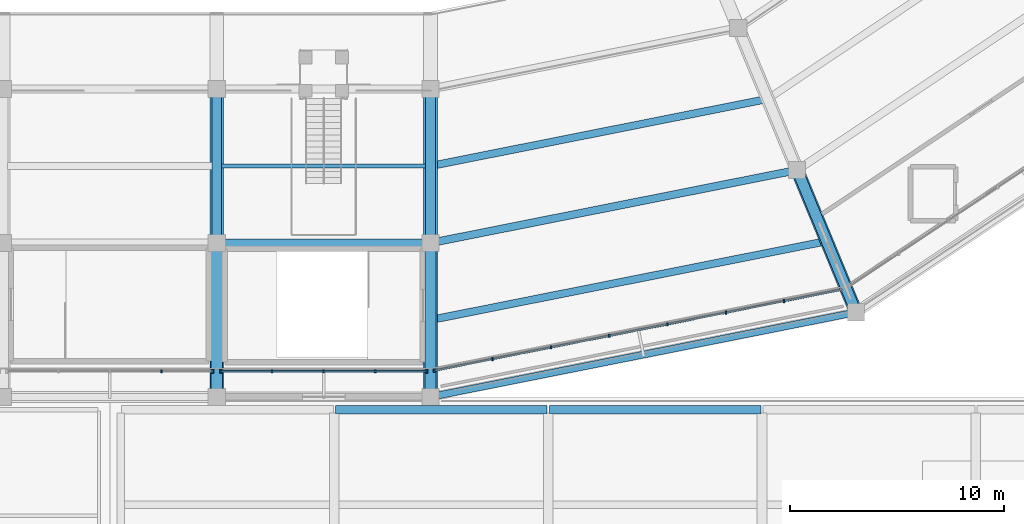
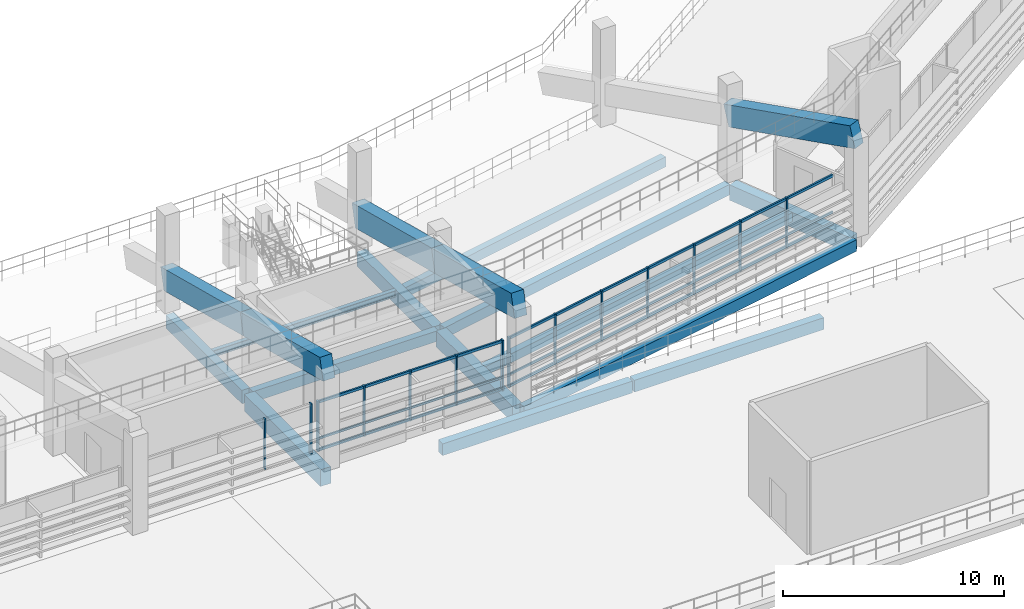
# One storey, part 27 of 96: 20 members, 18 beams, 3 elements without a shape of their own.
"""IFC4 building model written with IfcOpenShell, lengths in metres."""

from ifc_helpers import new_model, si_unit, direction, frame, origin, origin_2d, place, context, subcontext, project, spatial, rectangle, i_section, extrude, material, material_profile, profile_set, type_object, element, aggregate, save


model = new_model("IFC4")

# Units and contexts
model_context = context("Model", 3, precision=1e-05, world=origin(), true_north=direction((0.0, 1.0)))
body_context = subcontext(model_context, "Body", "Model", "MODEL_VIEW")
ifc_project = project(units=[si_unit("LENGTHUNIT", "METRE"), si_unit("AREAUNIT", "SQUARE_METRE"), si_unit("VOLUMEUNIT", "CUBIC_METRE"), si_unit("PLANEANGLEUNIT", "RADIAN"), si_unit("MASSUNIT", "GRAM", prefix="KILO")], contexts=[model_context])

# Site, building, storey
site_placement = place(None, origin())
site = spatial("IfcSite", under=ifc_project, at=site_placement, CompositionType="ELEMENT")
building_placement = place(site_placement, origin())
building = spatial("IfcBuilding", under=site, at=building_placement, Name="Candeia Ridge Stadium", CompositionType="ELEMENT")
storey_placement = place(building_placement, frame((0.0, 0.0, 21.60009765625)))
storey = spatial("IfcBuildingStorey", under=building, at=storey_placement, Name="L04", CompositionType="ELEMENT", Elevation=21.60009765625)

# Beams
ifc_material_1 = material(Name="Concrete C40/50", Category="concrete")
ifc_material_profile_1 = material_profile(ifc_material_1, rectangle(XDim=0.35009765625, YDim=0.550048828125, at=origin_2d()), Name="RC350x550", Category="concrete")
ifc_profile_set_1 = profile_set([ifc_material_profile_1], Name="Concrete C40/50")
beam_type_1 = type_object("IfcBeamType", Name="Concourse Concrete Joist RC350x550", PredefinedType="JOIST", material=ifc_profile_set_1)
beam_1_placement = place(storey_placement, frame((141.2177734375, 29.84326171875, -0.53515625), z_axis=(0.980784984607, 0.195091809076, 0.0), x_axis=(-0.195091809076, 0.980784984607, 0.0)))
element("IfcBeam", 1, at=beam_1_placement, inside=storey, type_object=beam_type_1, Name="Concourse secondary joist BM-L04-0911", PredefinedType="JOIST", context=body_context, shape_type="SweptSolid", body=[
    extrude(rectangle(XDim=0.35009765625, YDim=0.550048828125, at=origin_2d()), origin(), (0.0, 0.0, 1.0), 15.63134765625),
])
ifc_material_2 = material(Name="Steel ASTM A572 Grade 50", Category="steel")
ifc_material_profile_2 = material_profile(ifc_material_2, i_section(OverallWidth=0.205078125, OverallDepth=0.35400390625, WebThickness=0.009521484375, FlangeThickness=0.016845703125, FilletRadius=0.014892578125, at=origin_2d()), Name="W360x79", Category="steel")
ifc_profile_set_2 = profile_set([ifc_material_profile_2], Name="Steel ASTM A572 Grade 50")
beam_type_2 = type_object("IfcBeamType", Name="Concourse Secondary Joist W360x79", PredefinedType="JOIST", material=ifc_profile_set_2)
beam_2_placement = place(storey_placement, frame((131.221923828125, 29.800048828125, -0.43701171875), z_axis=(1.0, 0.0, 0.0), x_axis=(0.0, 1.0, 0.0)))
element("IfcBeam", 2, at=beam_2_placement, inside=storey, type_object=beam_type_2, Name="Concourse secondary joist BM-L04-0907", PredefinedType="JOIST", context=body_context, shape_type="SweptSolid", body=[
    extrude(i_section(OverallWidth=0.205078125, OverallDepth=0.35400390625, WebThickness=0.009521484375, FlangeThickness=0.016845703125, FilletRadius=0.014892578125, at=origin_2d()), origin(), (0.0, 0.0, 1.0), 9.55615234375),
])

# Curtain wall, member
ifc_material_3 = material(Name="Aluminium Anodized Warm Bronze", Category="aluminium")
curtain_wall_type = type_object("IfcCurtainWallType", Name="Concourse Recessed Unitised Curtain Wall", PredefinedType="NOTDEFINED", material=ifc_material_3)
curtain_wall_1_placement = place(storey_placement, origin())
curtain_wall_1 = element("IfcCurtainWall", 3, at=curtain_wall_1_placement, inside=storey, type_object=curtain_wall_type, Name="Unitised curtain wall CW-BWL-L04-23", PredefinedType="NOTDEFINED")
ifc_material_profile_3 = material_profile(ifc_material_3, rectangle(XDim=0.090087890625, YDim=0.179931640625, at=origin_2d()), Name="CWM-90x180", Category="aluminium")
ifc_profile_set_3 = profile_set([ifc_material_profile_3], Name="Aluminium Anodized Warm Bronze")
member_type_1 = type_object("IfcMemberType", Name="Curtain Wall Primary Mullion 90x180", PredefinedType="MULLION", material=ifc_profile_set_3)
member_1_placement = place(storey_placement, frame((130.820068359375, 20.199951171875, 0.0), z_axis=(0.0, 0.0, 1.0), x_axis=(1.0, 0.0, 0.0)))
member_1 = element("IfcMember", 4, at=member_1_placement, type_object=member_type_1, Name="Curtain wall mullion CW-BWL-L04-23-M4", PredefinedType="MULLION", context=body_context, shape_type="SweptSolid", body=[
    extrude(rectangle(XDim=0.090087890625, YDim=0.179931640625, at=origin_2d()), origin(), (0.0, 0.0, 1.0), 2.772216796875),
])

# Curtain wall, members
curtain_wall_2_placement = place(storey_placement, origin())
curtain_wall_2 = element("IfcCurtainWall", 5, at=curtain_wall_2_placement, inside=storey, type_object=curtain_wall_type, Name="Unitised curtain wall CW-BWL-L04-24", PredefinedType="NOTDEFINED")
member_2_placement = place(storey_placement, frame((131.179931640625, 20.199951171875, 0.0), z_axis=(0.0, 0.0, 1.0), x_axis=(1.0, 0.0, 0.0)))
member_2 = element("IfcMember", 6, at=member_2_placement, type_object=member_type_1, Name="Curtain wall mullion CW-BWL-L04-24-M0", PredefinedType="MULLION", context=body_context, shape_type="SweptSolid", body=[
    extrude(rectangle(XDim=0.090087890625, YDim=0.179931640625, at=origin_2d()), origin(), (0.0, 0.0, 1.0), 2.772216796875),
])
member_3_placement = place(storey_placement, frame((140.820068359375, 20.199951171875, 0.0), z_axis=(0.0, 0.0, 1.0), x_axis=(1.0, 0.0, 0.0)))
member_3 = element("IfcMember", 7, at=member_3_placement, type_object=member_type_1, Name="Curtain wall mullion CW-BWL-L04-24-M4", PredefinedType="MULLION", context=body_context, shape_type="SweptSolid", body=[
    extrude(rectangle(XDim=0.090087890625, YDim=0.179931640625, at=origin_2d()), origin(), (0.0, 0.0, 1.0), 2.772216796875),
])

# Curtain wall, member
curtain_wall_3_placement = place(storey_placement, origin())
curtain_wall_3 = element("IfcCurtainWall", 8, at=curtain_wall_3_placement, inside=storey, type_object=curtain_wall_type, Name="Unitised curtain wall CW-BWL-L04-25", PredefinedType="NOTDEFINED")
member_4_placement = place(storey_placement, frame((141.176513671875, 20.235107421875, 0.0), z_axis=(0.0, 0.0, 1.0), x_axis=(1.0, 0.0, 0.0)))
member_4 = element("IfcMember", 9, at=member_4_placement, type_object=member_type_1, Name="Curtain wall mullion CW-BWL-L04-25-M0", PredefinedType="MULLION", context=body_context, shape_type="SweptSolid", body=[
    extrude(rectangle(XDim=0.090087890625, YDim=0.179931640625, at=origin_2d()), origin(), (0.0, 0.0, 1.0), 2.772216796875),
])

# Member
ifc_material_profile_4 = material_profile(ifc_material_3, rectangle(XDim=0.074951171875, YDim=0.14990234375, at=origin_2d()), Name="CWM-75x150", Category="aluminium")
ifc_profile_set_4 = profile_set([ifc_material_profile_4], Name="Aluminium Anodized Warm Bronze")
member_type_2 = type_object("IfcMemberType", Name="Curtain Wall Secondary Mullion 75x150", PredefinedType="MULLION", material=ifc_profile_set_4)
member_5_placement = place(storey_placement, frame((128.409912109375, 20.199951171875, 0.0), z_axis=(0.0, 0.0, 1.0), x_axis=(1.0, 0.0, 0.0)))
member_5 = element("IfcMember", 10, at=member_5_placement, type_object=member_type_2, Name="Curtain wall mullion CW-BWL-L04-23-M3", PredefinedType="MULLION", context=body_context, shape_type="SweptSolid", body=[
    extrude(rectangle(XDim=0.074951171875, YDim=0.14990234375, at=origin_2d()), origin(), (0.0, 0.0, 1.0), 2.772216796875),
])

aggregate(curtain_wall_1, [member_5, member_1])

member_6_placement = place(storey_placement, frame((133.590087890625, 20.199951171875, 0.0), z_axis=(0.0, 0.0, 1.0), x_axis=(1.0, 0.0, 0.0)))
member_6 = element("IfcMember", 11, at=member_6_placement, type_object=member_type_2, Name="Curtain wall mullion CW-BWL-L04-24-M1", PredefinedType="MULLION", context=body_context, shape_type="SweptSolid", body=[
    extrude(rectangle(XDim=0.074951171875, YDim=0.14990234375, at=origin_2d()), origin(), (0.0, 0.0, 1.0), 2.772216796875),
])

member_7_placement = place(storey_placement, frame((136.0, 20.199951171875, 0.0), z_axis=(0.0, 0.0, 1.0), x_axis=(1.0, 0.0, 0.0)))
member_7 = element("IfcMember", 12, at=member_7_placement, type_object=member_type_2, Name="Curtain wall mullion CW-BWL-L04-24-M2", PredefinedType="MULLION", context=body_context, shape_type="SweptSolid", body=[
    extrude(rectangle(XDim=0.074951171875, YDim=0.14990234375, at=origin_2d()), origin(), (0.0, 0.0, 1.0), 2.772216796875),
])

member_8_placement = place(storey_placement, frame((138.409912109375, 20.199951171875, 0.0), z_axis=(0.0, 0.0, 1.0), x_axis=(1.0, 0.0, 0.0)))
member_8 = element("IfcMember", 13, at=member_8_placement, type_object=member_type_2, Name="Curtain wall mullion CW-BWL-L04-24-M3", PredefinedType="MULLION", context=body_context, shape_type="SweptSolid", body=[
    extrude(rectangle(XDim=0.074951171875, YDim=0.14990234375, at=origin_2d()), origin(), (0.0, 0.0, 1.0), 2.772216796875),
])

member_9_placement = place(storey_placement, frame((143.9033203125, 20.777587890625, 0.0), z_axis=(0.0, 0.0, 1.0), x_axis=(1.0, 0.0, 0.0)))
member_9 = element("IfcMember", 14, at=member_9_placement, type_object=member_type_2, Name="Curtain wall mullion CW-BWL-L04-25-M1", PredefinedType="MULLION", context=body_context, shape_type="SweptSolid", body=[
    extrude(rectangle(XDim=0.074951171875, YDim=0.14990234375, at=origin_2d()), origin(), (0.0, 0.0, 1.0), 2.772216796875),
])

member_10_placement = place(storey_placement, frame((146.6298828125, 21.31982421875, 0.0), z_axis=(0.0, 0.0, 1.0), x_axis=(1.0, 0.0, 0.0)))
member_10 = element("IfcMember", 15, at=member_10_placement, type_object=member_type_2, Name="Curtain wall mullion CW-BWL-L04-25-M2", PredefinedType="MULLION", context=body_context, shape_type="SweptSolid", body=[
    extrude(rectangle(XDim=0.074951171875, YDim=0.14990234375, at=origin_2d()), origin(), (0.0, 0.0, 1.0), 2.772216796875),
])

member_11_placement = place(storey_placement, frame((149.356689453125, 21.8623046875, 0.0), z_axis=(0.0, 0.0, 1.0), x_axis=(1.0, 0.0, 0.0)))
member_11 = element("IfcMember", 16, at=member_11_placement, type_object=member_type_2, Name="Curtain wall mullion CW-BWL-L04-25-M3", PredefinedType="MULLION", context=body_context, shape_type="SweptSolid", body=[
    extrude(rectangle(XDim=0.074951171875, YDim=0.14990234375, at=origin_2d()), origin(), (0.0, 0.0, 1.0), 2.772216796875),
])

member_12_placement = place(storey_placement, frame((152.08349609375, 22.404541015625, 0.0), z_axis=(0.0, 0.0, 1.0), x_axis=(1.0, 0.0, 0.0)))
member_12 = element("IfcMember", 17, at=member_12_placement, type_object=member_type_2, Name="Curtain wall mullion CW-BWL-L04-25-M4", PredefinedType="MULLION", context=body_context, shape_type="SweptSolid", body=[
    extrude(rectangle(XDim=0.074951171875, YDim=0.14990234375, at=origin_2d()), origin(), (0.0, 0.0, 1.0), 2.772216796875),
])

member_13_placement = place(storey_placement, frame((154.810302734375, 22.947021484375, 0.0), z_axis=(0.0, 0.0, 1.0), x_axis=(1.0, 0.0, 0.0)))
member_13 = element("IfcMember", 18, at=member_13_placement, type_object=member_type_2, Name="Curtain wall mullion CW-BWL-L04-25-M5", PredefinedType="MULLION", context=body_context, shape_type="SweptSolid", body=[
    extrude(rectangle(XDim=0.074951171875, YDim=0.14990234375, at=origin_2d()), origin(), (0.0, 0.0, 1.0), 2.772216796875),
])

member_14_placement = place(storey_placement, frame((157.537109375, 23.489501953125, 0.0), z_axis=(0.0, 0.0, 1.0), x_axis=(1.0, 0.0, 0.0)))
member_14 = element("IfcMember", 19, at=member_14_placement, type_object=member_type_2, Name="Curtain wall mullion CW-BWL-L04-25-M6", PredefinedType="MULLION", context=body_context, shape_type="SweptSolid", body=[
    extrude(rectangle(XDim=0.074951171875, YDim=0.14990234375, at=origin_2d()), origin(), (0.0, 0.0, 1.0), 2.772216796875),
])

ifc_material_profile_5 = material_profile(ifc_material_3, rectangle(XDim=0.074951171875, YDim=0.110107421875, at=origin_2d()), Name="CWT-75x110", Category="aluminium")
ifc_profile_set_5 = profile_set([ifc_material_profile_5], Name="Aluminium Anodized Warm Bronze")
member_type_3 = type_object("IfcMemberType", Name="Curtain Wall Secondary Transom 75x110", PredefinedType="USERDEFINED", material=ifc_profile_set_5)
member_15_placement = place(storey_placement, frame((131.179931640625, 20.199951171875, 0.693115234375), z_axis=(1.0, 0.0, 0.0), x_axis=(0.0, 1.0, 0.0)))
member_15 = element("IfcMember", 20, at=member_15_placement, type_object=member_type_3, Name="Curtain wall transom CW-BWL-L04-24-T1", ObjectType="TRANSOM", PredefinedType="USERDEFINED", context=body_context, shape_type="SweptSolid", body=[
    extrude(rectangle(XDim=0.074951171875, YDim=0.110107421875, at=origin_2d()), origin(), (0.0, 0.0, 1.0), 9.64013671875),
])

member_16_placement = place(storey_placement, frame((141.176513671875, 20.235107421875, 0.693115234375), z_axis=(0.980786160623, 0.195085896803, 0.0), x_axis=(-0.195085896803, 0.980786160623, 0.0)))
member_16 = element("IfcMember", 21, at=member_16_placement, type_object=member_type_3, Name="Curtain wall transom CW-BWL-L04-25-T1", ObjectType="TRANSOM", PredefinedType="USERDEFINED", context=body_context, shape_type="SweptSolid", body=[
    extrude(rectangle(XDim=0.074951171875, YDim=0.110107421875, at=origin_2d()), origin(), (0.0, 0.0, 1.0), 19.46142578125),
])

ifc_material_profile_6 = material_profile(ifc_material_3, rectangle(XDim=0.090087890625, YDim=0.139892578125, at=origin_2d()), Name="CWT-90x140", Category="aluminium")
ifc_profile_set_6 = profile_set([ifc_material_profile_6], Name="Aluminium Anodized Warm Bronze")
member_type_4 = type_object("IfcMemberType", Name="Curtain Wall Transom 90x140", PredefinedType="USERDEFINED", material=ifc_profile_set_6)
member_17_placement = place(storey_placement, frame((131.179931640625, 20.199951171875, 0.06982421875), z_axis=(1.0, 0.0, 0.0), x_axis=(0.0, 1.0, 0.0)))
member_17 = element("IfcMember", 22, at=member_17_placement, type_object=member_type_4, Name="Curtain wall transom CW-BWL-L04-24-T0", ObjectType="TRANSOM", PredefinedType="USERDEFINED", context=body_context, shape_type="SweptSolid", body=[
    extrude(rectangle(XDim=0.090087890625, YDim=0.139892578125, at=origin_2d()), origin(), (0.0, 0.0, 1.0), 9.64013671875),
])

member_18_placement = place(storey_placement, frame((131.179931640625, 20.199951171875, 2.7021484375), z_axis=(1.0, 0.0, 0.0), x_axis=(0.0, 1.0, 0.0)))
member_18 = element("IfcMember", 23, at=member_18_placement, type_object=member_type_4, Name="Curtain wall transom CW-BWL-L04-24-T2", ObjectType="TRANSOM", PredefinedType="USERDEFINED", context=body_context, shape_type="SweptSolid", body=[
    extrude(rectangle(XDim=0.090087890625, YDim=0.139892578125, at=origin_2d()), origin(), (0.0, 0.0, 1.0), 9.64013671875),
])

aggregate(curtain_wall_2, [member_2, member_6, member_7, member_8, member_3, member_17, member_15, member_18])

member_19_placement = place(storey_placement, frame((141.176513671875, 20.235107421875, 0.06982421875), z_axis=(0.980786160623, 0.195085896803, 0.0), x_axis=(-0.195085896803, 0.980786160623, 0.0)))
member_19 = element("IfcMember", 24, at=member_19_placement, type_object=member_type_4, Name="Curtain wall transom CW-BWL-L04-25-T0", ObjectType="TRANSOM", PredefinedType="USERDEFINED", context=body_context, shape_type="SweptSolid", body=[
    extrude(rectangle(XDim=0.090087890625, YDim=0.139892578125, at=origin_2d()), origin(), (0.0, 0.0, 1.0), 19.46142578125),
])

member_20_placement = place(storey_placement, frame((141.176513671875, 20.235107421875, 2.7021484375), z_axis=(0.980786160623, 0.195085896803, 0.0), x_axis=(-0.195085896803, 0.980786160623, 0.0)))
member_20 = element("IfcMember", 25, at=member_20_placement, type_object=member_type_4, Name="Curtain wall transom CW-BWL-L04-25-T2", ObjectType="TRANSOM", PredefinedType="USERDEFINED", context=body_context, shape_type="SweptSolid", body=[
    extrude(rectangle(XDim=0.090087890625, YDim=0.139892578125, at=origin_2d()), origin(), (0.0, 0.0, 1.0), 19.46142578125),
])

aggregate(curtain_wall_3, [member_4, member_9, member_10, member_11, member_12, member_13, member_14, member_19, member_16, member_20])

# Beams
ifc_material_profile_7 = material_profile(ifc_material_1, rectangle(XDim=0.35009765625, YDim=0.5, at=origin_2d()), Name="RC350x500", Category="concrete")
ifc_profile_set_7 = profile_set([ifc_material_profile_7], Name="Concrete C40/50")
beam_type_3 = type_object("IfcBeamType", Name="Floor Joist RC350x500", PredefinedType="JOIST", material=ifc_profile_set_7)
beam_3_placement = place(storey_placement, frame((141.2177734375, 22.643310546875, -0.510009765625), z_axis=(0.980784839623, 0.195092537954, 0.0), x_axis=(-0.195092537954, 0.980784839623, 0.0)))
element("IfcBeam", 26, at=beam_3_placement, inside=storey, type_object=beam_type_3, Name="Concourse secondary joist BM-L04-0912", PredefinedType="JOIST", context=body_context, shape_type="SweptSolid", body=[
    extrude(rectangle(XDim=0.35009765625, YDim=0.5, at=origin_2d()), origin(), (0.0, 0.0, 1.0), 18.440673828125),
])
ifc_material_profile_8 = material_profile(ifc_material_1, rectangle(XDim=0.360107421875, YDim=0.580078125, at=origin_2d()), Name="RC360x580", Category="concrete")
ifc_profile_set_8 = profile_set([ifc_material_profile_8], Name="Concrete C40/50")
beam_type_4 = type_object("IfcBeamType", Name="Frame Girder RC360x580", PredefinedType="BEAM", material=ifc_profile_set_8)
beam_4_placement = place(storey_placement, frame((131.159912109375, 26.199951171875, -0.550048828125), z_axis=(1.0, 0.0, 0.0), x_axis=(0.0, 1.0, 0.0)))
element("IfcBeam", 27, at=beam_4_placement, inside=storey, type_object=beam_type_4, Name="Concourse spine girder BM-L04-0905", PredefinedType="BEAM", context=body_context, shape_type="SweptSolid", body=[
    extrude(rectangle(XDim=0.360107421875, YDim=0.580078125, at=origin_2d()), origin(), (0.0, 0.0, 1.0), 9.68017578125),
])
beam_5_placement = place(storey_placement, frame((141.156982421875, 26.231201171875, -0.550048828125), z_axis=(0.980783706548, 0.195098234154, 0.0), x_axis=(-0.195098234154, 0.980783706548, 0.0)))
element("IfcBeam", 28, at=beam_5_placement, inside=storey, type_object=beam_type_4, Name="Concourse spine girder BM-L04-0909", PredefinedType="BEAM", context=body_context, shape_type="SweptSolid", body=[
    extrude(rectangle(XDim=0.360107421875, YDim=0.580078125, at=origin_2d()), origin(), (0.0, 0.0, 1.0), 17.16015625),
])
ifc_material_profile_9 = material_profile(ifc_material_1, rectangle(XDim=0.429931640625, YDim=0.739990234375, at=origin_2d()), Name="RC430x740", Category="concrete")
ifc_profile_set_9 = profile_set([ifc_material_profile_9], Name="Concrete C40/50")
beam_type_5 = type_object("IfcBeamType", Name="Frame Girder RC430x740", PredefinedType="BEAM", material=ifc_profile_set_9)
beam_6_placement = place(storey_placement, frame((131.0, 33.239990234375, -0.630126953125), z_axis=(0.0, -1.0, 0.0), x_axis=(1.0, 0.0, 0.0)))
element("IfcBeam", 29, at=beam_6_placement, inside=storey, type_object=beam_type_5, Name="Bowl radial girder BM-L04-0769", PredefinedType="BEAM", context=body_context, shape_type="SweptSolid", body=[
    extrude(rectangle(XDim=0.429931640625, YDim=0.739990234375, at=origin_2d()), origin(), (0.0, 0.0, 1.0), 6.8798828125),
])
ifc_material_4 = material(Name="Concrete C45/55", Category="concrete")
ifc_material_profile_10 = material_profile(ifc_material_4, rectangle(XDim=0.47998046875, YDim=0.820068359375, at=origin_2d()), Name="RC480x820", Category="concrete")
ifc_profile_set_10 = profile_set([ifc_material_profile_10], Name="Concrete C45/55")
beam_type_6 = type_object("IfcBeamType", Name="Frame Girder RC480x820", PredefinedType="BEAM", material=ifc_profile_set_10)
beam_7_placement = place(storey_placement, frame((141.0, 33.239990234375, -0.670166015625), z_axis=(0.0, -1.0, 0.0), x_axis=(1.0, 0.0, 0.0)))
element("IfcBeam", 30, at=beam_7_placement, inside=storey, type_object=beam_type_6, Name="Bowl radial girder BM-L04-0771", PredefinedType="BEAM", context=body_context, shape_type="SweptSolid", body=[
    extrude(rectangle(XDim=0.47998046875, YDim=0.820068359375, at=origin_2d()), origin(), (0.0, 0.0, 1.0), 6.8798828125),
])
ifc_material_profile_11 = material_profile(ifc_material_4, rectangle(XDim=0.5, YDim=0.85009765625, at=origin_2d()), Name="RC500x850", Category="concrete")
ifc_profile_set_11 = profile_set([ifc_material_profile_11], Name="Concrete C45/55")
beam_type_7 = type_object("IfcBeamType", Name="Frame Girder RC500x850", PredefinedType="BEAM", material=ifc_profile_set_11)
beam_8_placement = place(storey_placement, frame((158.20556640625, 29.46240234375, -0.68505859375), z_axis=(0.382681914982, -0.923880161031, 0.0), x_axis=(0.923880161031, 0.382681914982, 0.0)))
element("IfcBeam", 31, at=beam_8_placement, inside=storey, type_object=beam_type_7, Name="Bowl radial girder BM-L04-0774", PredefinedType="BEAM", context=body_context, shape_type="SweptSolid", body=[
    extrude(rectangle(XDim=0.5, YDim=0.85009765625, at=origin_2d()), origin(), (0.0, 0.0, 1.0), 6.8798828125),
])
ifc_material_profile_12 = material_profile(ifc_material_4, rectangle(XDim=0.52001953125, YDim=0.8798828125, at=origin_2d()), Name="RC520x880", Category="concrete")
ifc_profile_set_12 = profile_set([ifc_material_profile_12], Name="Concrete C45/55")
beam_type_8 = type_object("IfcBeamType", Name="Frame Girder RC520x880", PredefinedType="BEAM", material=ifc_profile_set_12)
beam_9_placement = place(storey_placement, frame((141.0, 26.0400390625, -0.7001953125), z_axis=(0.0, -1.0, 0.0), x_axis=(1.0, 0.0, 0.0)))
element("IfcBeam", 32, at=beam_9_placement, inside=storey, type_object=beam_type_8, Name="Bowl radial girder BM-L04-0772", PredefinedType="BEAM", context=body_context, shape_type="SweptSolid", body=[
    extrude(rectangle(XDim=0.52001953125, YDim=0.8798828125, at=origin_2d()), origin(), (0.0, 0.0, 1.0), 6.880126953125),
])
ifc_material_profile_13 = material_profile(ifc_material_4, rectangle(XDim=0.550048828125, YDim=0.919921875, at=origin_2d()), Name="RC550x920", Category="concrete")
ifc_profile_set_13 = profile_set([ifc_material_profile_13], Name="Concrete C45/55")
beam_type_9 = type_object("IfcBeamType", Name="Frame Girder RC550x920", PredefinedType="BEAM", material=ifc_profile_set_13)
beam_10_placement = place(storey_placement, frame((131.0, 26.0400390625, -0.72021484375), z_axis=(0.0, -1.0, 0.0), x_axis=(1.0, 0.0, 0.0)))
element("IfcBeam", 33, at=beam_10_placement, inside=storey, type_object=beam_type_9, Name="Bowl radial girder BM-L04-0770", PredefinedType="BEAM", context=body_context, shape_type="SweptSolid", body=[
    extrude(rectangle(XDim=0.550048828125, YDim=0.919921875, at=origin_2d()), origin(), (0.0, 0.0, 1.0), 6.880126953125),
])
ifc_material_profile_14 = material_profile(ifc_material_1, rectangle(XDim=0.330078125, YDim=0.639892578125, at=origin_2d()), Name="RC330x640", Category="concrete")
ifc_profile_set_14 = profile_set([ifc_material_profile_14], Name="Concrete C40/50")
beam_type_10 = type_object("IfcBeamType", Name="Spandrel Beam RC330x640", PredefinedType="SPANDREL", material=ifc_profile_set_14)
beam_11_placement = place(storey_placement, frame((141.156982421875, 19.03125, -0.580078125), z_axis=(0.980786091775, 0.195086242929, 0.0), x_axis=(-0.195086242929, 0.980786091775, 0.0)))
element("IfcBeam", 34, at=beam_11_placement, inside=storey, type_object=beam_type_10, Name="Bowl perimeter spandrel BM-L04-0910", PredefinedType="SPANDREL", context=body_context, shape_type="SweptSolid", body=[
    extrude(rectangle(XDim=0.330078125, YDim=0.639892578125, at=origin_2d()), origin(), (0.0, 0.0, 1.0), 19.969482421875),
])
ifc_material_profile_15 = material_profile(ifc_material_4, rectangle(XDim=0.6201171875, YDim=1.179931640625, at=origin_2d()), Name="RC620x1180", Category="concrete")
ifc_profile_set_15 = profile_set([ifc_material_profile_15], Name="Concrete C45/55")
beam_type_11 = type_object("IfcBeamType", Name="Stand Raker Beam RC620x1180", PredefinedType="USERDEFINED", material=ifc_profile_set_15)
beam_12_placement = place(storey_placement, frame((131.0, 33.39990234375, 1.66796875), z_axis=(0.0, -0.968083084121, 0.250629491956), x_axis=(1.0, 0.0, 0.0)))
element("IfcBeam", 35, at=beam_12_placement, inside=storey, type_object=beam_type_11, Name="Stand T3 inner raker beam 25", ObjectType="RAKER", PredefinedType="USERDEFINED", context=body_context, shape_type="SweptSolid", body=[
    extrude(rectangle(XDim=0.6201171875, YDim=1.179931640625, at=origin_2d()), origin(), (0.0, 0.0, 1.0), 7.437255859375),
])
for number, where, z_axis, x_axis, name in (
    (36, (131.0, 26.199951171875, 3.531982421875), (0.0, -0.968067153083, 0.250691019229), (1.0, 0.0, 0.0), "Stand T3 outer raker beam 25"),
    (37, (158.144287109375, 29.610107421875, 3.531982421875), (0.370472700699, -0.894373489566, 0.250691123094), (0.923875488976, 0.382693194178, 0.0), "Stand T3 outer raker beam 27"),
):
    element("IfcBeam", number, at=place(storey_placement, frame(where, z_axis=z_axis, x_axis=x_axis)), inside=storey, type_object=beam_type_11, Name=name, ObjectType="RAKER", PredefinedType="USERDEFINED", context=body_context, shape_type="SweptSolid", body=[
        extrude(rectangle(XDim=0.6201171875, YDim=1.179931640625, at=origin_2d()), origin(), (0.0, 0.0, 1.0), 7.4375),
    ])
ifc_material_profile_16 = material_profile(ifc_material_4, rectangle(XDim=0.64990234375, YDim=1.25, at=origin_2d()), Name="RC650x1250", Category="concrete")
ifc_profile_set_16 = profile_set([ifc_material_profile_16], Name="Concrete C45/55")
beam_type_12 = type_object("IfcBeamType", Name="Stand Raker Beam RC650x1250", PredefinedType="USERDEFINED", material=ifc_profile_set_16)
beam_13_placement = place(storey_placement, frame((141.0, 33.39990234375, 1.66796875), z_axis=(0.0, -0.968083084121, 0.250629491956), x_axis=(1.0, 0.0, 0.0)))
element("IfcBeam", 38, at=beam_13_placement, inside=storey, type_object=beam_type_12, Name="Stand T3 inner raker beam 26", ObjectType="RAKER", PredefinedType="USERDEFINED", context=body_context, shape_type="SweptSolid", body=[
    extrude(rectangle(XDim=0.64990234375, YDim=1.25, at=origin_2d()), origin(), (0.0, 0.0, 1.0), 7.437255859375),
])
beam_14_placement = place(storey_placement, frame((141.0, 26.199951171875, 3.531982421875), z_axis=(0.0, -0.968067153083, 0.250691019229), x_axis=(1.0, 0.0, 0.0)))
element("IfcBeam", 39, at=beam_14_placement, inside=storey, type_object=beam_type_12, Name="Stand T3 outer raker beam 26", ObjectType="RAKER", PredefinedType="USERDEFINED", context=body_context, shape_type="SweptSolid", body=[
    extrude(rectangle(XDim=0.64990234375, YDim=1.25, at=origin_2d()), origin(), (0.0, 0.0, 1.0), 7.4375),
])
ifc_material_profile_17 = material_profile(ifc_material_1, rectangle(XDim=0.39990234375, YDim=0.64990234375, at=origin_2d()), Name="RC400x650", Category="concrete")
ifc_profile_set_17 = profile_set([ifc_material_profile_17], Name="Concrete C40/50")
beam_type_13 = type_object("IfcBeamType", Name="Wing Primary Girder RC400x650", PredefinedType="BEAM", material=ifc_profile_set_17)
for number, where, z_axis, x_axis, name in (
    (40, (136.550048828125, 18.39990234375, -0.60498046875), (1.0, 0.0, 0.0), (0.0, 1.0, 0.0), "Structural girder BM-L04-2509"),
    (41, (146.550048828125, 18.39990234375, -0.60498046875), (1.0, 0.0, 0.0), (0.0, 1.0, 0.0), "Structural girder BM-L04-2513"),
):
    element("IfcBeam", number, at=place(storey_placement, frame(where, z_axis=z_axis, x_axis=x_axis)), inside=storey, type_object=beam_type_13, Name=name, PredefinedType="BEAM", context=body_context, shape_type="SweptSolid", body=[
        extrude(rectangle(XDim=0.39990234375, YDim=0.64990234375, at=origin_2d()), origin(), (0.0, 0.0, 1.0), 9.89990234375),
    ])

save(model, "model.ifc")
